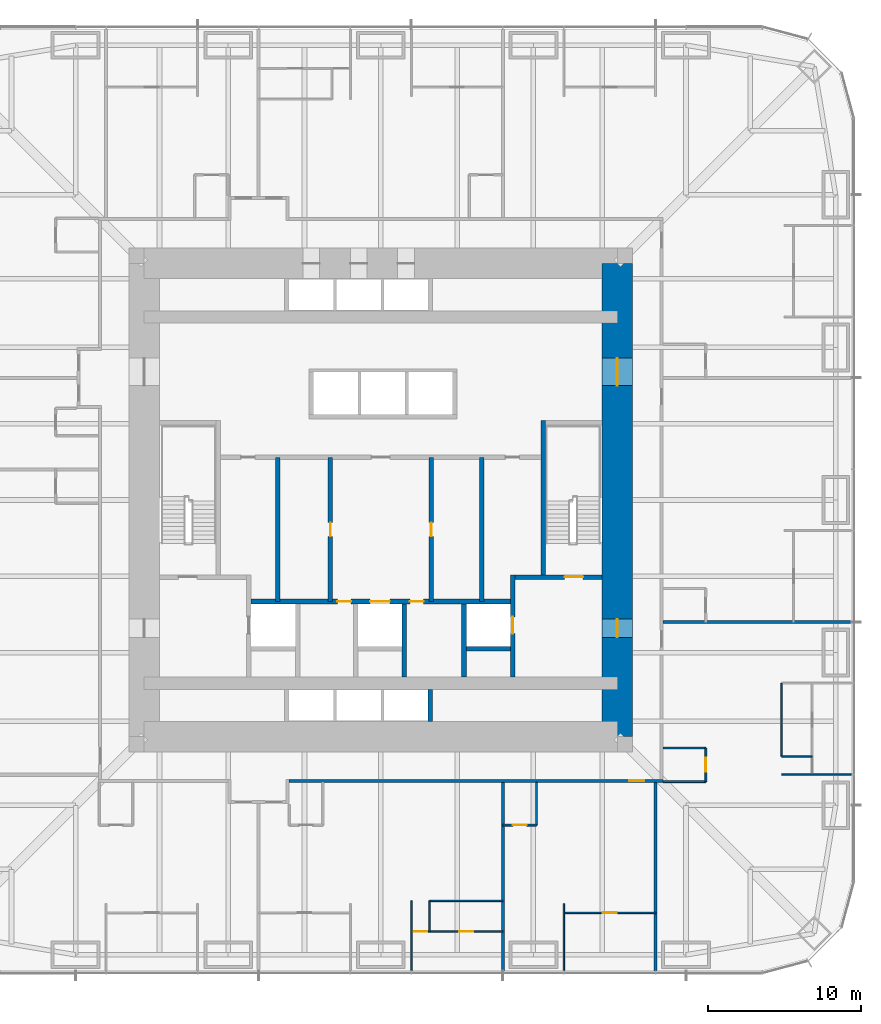
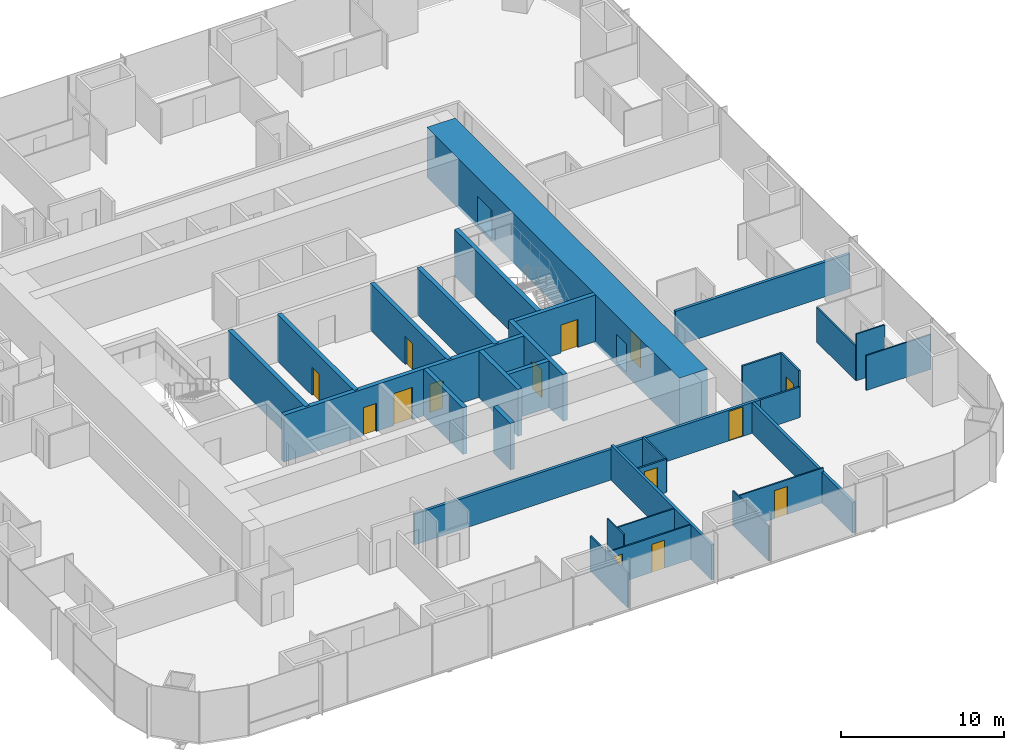
# One storey, part 13 of 17: 31 walls, 15 doors, 15 openings.
"""IFC4 building model written with IfcOpenShell, lengths in metres."""

import ifcopenshell
import ifcopenshell.guid

model = None  # the IFC model being written
_history = None  # IfcOwnerHistory: only IFC2X3 demands one
_inside = {}  # id of a spatial element -> (the spatial element, [elements in it])
_under = {}  # id of a project, library or spatial element -> (it, [spatial elements below it])
_declared = {}  # id of a project -> (the project, [libraries it declares])
_typed = {}  # id of a type object -> (the type object, [elements of that type])
_made_of = {}  # id of a material, layer set ... -> (it, [elements and type objects made of it])


def new_model(schema):
    """Start an empty IFC model of exactly this schema.

    Asked for "IFC4X3", IfcOpenShell would pick the latest addendum, in which some entities
    have other attributes; the version numbers below select the first issue.
    IFC2X3 requires an IfcOwnerHistory on every rooted entity: one is made here for all.
    """
    global model, _history
    if schema == "IFC4X3":
        model = ifcopenshell.file(schema_version=(4, 3, 0, 0))
    else:
        model = ifcopenshell.file(schema=schema)
    _inside.clear()
    _under.clear()
    _declared.clear()
    _typed.clear()
    _made_of.clear()
    _history = None
    if model.schema == "IFC2X3":
        org = make("IfcOrganization", Name="unknown")
        user = make(
            "IfcPersonAndOrganization",
            ThePerson=make("IfcPerson", FamilyName="unknown"),
            TheOrganization=org,
        )
        app = make(
            "IfcApplication",
            ApplicationDeveloper=org,
            Version="unknown",
            ApplicationFullName="unknown",
            ApplicationIdentifier="unknown",
        )
        _history = make(
            "IfcOwnerHistory",
            OwningUser=user,
            OwningApplication=app,
            ChangeAction="ADDED",
            CreationDate=0,
        )
    return model


def make(cls, **values):
    """One entity of the class cls with the attributes given. An attribute that is None is left unset."""
    return model.create_entity(
        cls, **{name: value for name, value in values.items() if value is not None}
    )


def rooted(cls, **values):
    """An entity with a GlobalId (a new one), such as an element, a storey or a relation."""
    return make(cls, GlobalId=ifcopenshell.guid.new(), OwnerHistory=_history, **values)


def si_unit(unit_type, name, prefix=None):
    """IfcSIUnit, for example si_unit("LENGTHUNIT", "METRE", prefix="MILLI")."""
    return make("IfcSIUnit", UnitType=unit_type, Prefix=prefix, Name=name)


def assignment(units):
    """IfcUnitAssignment: the units of a project."""
    return None if units is None else make("IfcUnitAssignment", Units=units)


def point(xyz):
    """IfcCartesianPoint."""
    return None if xyz is None else make("IfcCartesianPoint", Coordinates=xyz)


def direction(xyz):
    """IfcDirection."""
    return None if xyz is None else make("IfcDirection", DirectionRatios=xyz)


def frame(location, z_axis=None, x_axis=None):
    """IfcAxis2Placement3D, a coordinate frame: its origin and axes. An axis left out is left unset."""
    return make(
        "IfcAxis2Placement3D",
        Location=point(location),
        Axis=direction(z_axis),
        RefDirection=direction(x_axis),
    )


def frame_2d(location, x_axis=None):
    """IfcAxis2Placement2D, a coordinate frame in the plane: its origin and x axis."""
    return make(
        "IfcAxis2Placement2D", Location=point(location), RefDirection=direction(x_axis)
    )


def origin():
    """The frame at (0, 0, 0) with its axes left unset."""
    return frame((0.0, 0.0, 0.0))


def place(relative_to, where):
    """IfcLocalPlacement: puts the frame where relative to a parent placement (None: the world)."""
    return make(
        "IfcLocalPlacement", PlacementRelTo=relative_to, RelativePlacement=where
    )


def context(
    kind, dimensions, precision=None, world=None, true_north=None, identifier=None
):
    """IfcGeometricRepresentationContext, for example the 3D "Model" context."""
    return make(
        "IfcGeometricRepresentationContext",
        ContextIdentifier=identifier,
        ContextType=kind,
        CoordinateSpaceDimension=dimensions,
        Precision=precision,
        WorldCoordinateSystem=world,
        TrueNorth=true_north,
    )


def subcontext(parent, identifier, kind, view, scale=None):
    """IfcGeometricRepresentationSubContext, for example "Body" below "Model"."""
    return make(
        "IfcGeometricRepresentationSubContext",
        ContextIdentifier=identifier,
        ContextType=kind,
        ParentContext=parent,
        TargetScale=scale,
        TargetView=view,
    )


def project(units=None, contexts=None):
    """IfcProject with its units and contexts."""
    return rooted(
        "IfcProject",
        Name="project",
        RepresentationContexts=contexts,
        UnitsInContext=assignment(units),
    )


def spatial(cls, under=None, at=None, **own):
    """A site, building, storey or space (cls), placed at a placement, below another one or the project."""
    s = rooted(cls, ObjectPlacement=at, **own)
    if under is not None:
        _under.setdefault(under.id(), (under, []))[1].append(s)
    return s


def profile(cls, at=None, kind="AREA", **sizes):
    """A parametric profile (cls). Its sizes go by their IFC names, for example OverallWidth=200.0."""
    return make(cls, ProfileType=kind, Position=at, **sizes)


def rectangle(**sizes):
    """IfcRectangleProfileDef."""
    return profile("IfcRectangleProfileDef", **sizes)


def extrude(swept, where, along, depth):
    """IfcExtrudedAreaSolid: the profile swept, set in the frame where, extruded along a direction by depth."""
    return make(
        "IfcExtrudedAreaSolid",
        SweptArea=swept,
        Position=where,
        ExtrudedDirection=direction(along),
        Depth=depth,
    )


def shape(context_of_items, identifier, shape_type, items):
    """IfcShapeRepresentation: the items that make up one representation, for example the "Body"."""
    return make(
        "IfcShapeRepresentation",
        ContextOfItems=context_of_items,
        RepresentationIdentifier=identifier,
        RepresentationType=shape_type,
        Items=items,
    )


def material(Name=None, Category=None):
    """IfcMaterial."""
    return make("IfcMaterial", Name=Name, Category=Category)


def layer(
    of_material, thickness, ventilated=None, Name=None, Category=None, Priority=None
):
    """IfcMaterialLayer: one layer of a wall or slab, of a material (None: an air gap)."""
    return make(
        "IfcMaterialLayer",
        Material=of_material,
        LayerThickness=thickness,
        IsVentilated=ventilated,
        Name=Name,
        Category=Category,
        Priority=Priority,
    )


def layer_set(layers, Name=None):
    """IfcMaterialLayerSet."""
    return make("IfcMaterialLayerSet", MaterialLayers=layers, LayerSetName=Name)


def made_of(thing, what):
    """Note that an element or type object is made of a material, layer set ...; save() writes the relation."""
    if what is not None:
        _made_of.setdefault(what.id(), (what, []))[1].append(thing)
    return thing


def type_object(cls, material=None, **own):
    """A type object (cls), such as IfcWallType, which elements share."""
    return made_of(rooted(cls, **own), material)


def element(
    cls,
    number,
    at=None,
    inside=None,
    cuts=None,
    type_object=None,
    material=None,
    context=None,
    identifier="Body",
    shape_type=None,
    held_by="IfcProductDefinitionShape",
    body=None,
    shapes=None,
    **own,
):
    """One element of the class cls, such as IfcWall. Its Tag is "e" and its number.

    at: its placement. inside: the storey or other place that contains it. cuts: it is an
    opening in that element (IfcRelVoidsElement). A single representation is given by context,
    identifier, shape_type and body (its items); several are given by shapes. held_by: the class
    of the entity that holds the representations. save() writes the other relations.
    """
    e = rooted(cls, Tag="e%d" % number, ObjectPlacement=at, **own)
    if body is not None:
        shapes = [shape(context, identifier, shape_type, body)]
    if shapes is not None:
        e.Representation = make(held_by, Representations=shapes)
    if inside is not None:
        _inside.setdefault(inside.id(), (inside, []))[1].append(e)
    if cuts is not None:
        rooted(
            "IfcRelVoidsElement", RelatingBuildingElement=cuts, RelatedOpeningElement=e
        )
    if type_object is not None:
        _typed.setdefault(type_object.id(), (type_object, []))[1].append(e)
    return made_of(e, material)


def fill(opening, filler):
    """IfcRelFillsElement: the door or window that sits in an opening."""
    return rooted(
        "IfcRelFillsElement",
        RelatingOpeningElement=opening,
        RelatedBuildingElement=filler,
    )


def aggregate(whole, parts):
    """IfcRelAggregates: a whole, such as a stair, and the parts it consists of."""
    return rooted("IfcRelAggregates", RelatingObject=whole, RelatedObjects=parts)


def save(model, path):
    """Write the relations noted so far, then the file.

    IfcRelAggregates (storeys below a building ...), IfcRelContainedInSpatialStructure (elements
    in a storey), IfcRelDefinesByType, IfcRelAssociatesMaterial and IfcRelDeclares: one each for
    every whole, place, type object, material and project.
    """
    for whole, parts in _under.values():
        aggregate(whole, parts)
    for where, things in _inside.values():
        rooted(
            "IfcRelContainedInSpatialStructure",
            RelatedElements=things,
            RelatingStructure=where,
        )
    for kind, things in _typed.values():
        rooted("IfcRelDefinesByType", RelatedObjects=things, RelatingType=kind)
    for what, things in _made_of.values():
        rooted("IfcRelAssociatesMaterial", RelatedObjects=things, RelatingMaterial=what)
    for by, libraries in _declared.values():
        rooted("IfcRelDeclares", RelatingContext=by, RelatedDefinitions=libraries)
    model.write(path)


model = new_model("IFC4")

# Units and contexts
model_context = context("Model", 3, precision=1e-05, world=origin(), true_north=direction((0.0, 1.0)))
body_context = subcontext(model_context, "Body", "Model", "MODEL_VIEW")
ifc_project = project(units=[si_unit("LENGTHUNIT", "METRE"), si_unit("AREAUNIT", "SQUARE_METRE"), si_unit("VOLUMEUNIT", "CUBIC_METRE"), si_unit("PLANEANGLEUNIT", "RADIAN"), si_unit("MASSUNIT", "GRAM", prefix="KILO")], contexts=[model_context])

# Site, building, storey
site_placement = place(None, origin())
site = spatial("IfcSite", under=ifc_project, at=site_placement, CompositionType="ELEMENT")
building_placement = place(site_placement, origin())
building = spatial("IfcBuilding", under=site, at=building_placement, Name="Khuree Lantern Residences", CompositionType="ELEMENT")
storey_placement = place(building_placement, frame((0.0, 0.0, 92.25)))
storey = spatial("IfcBuildingStorey", under=building, at=storey_placement, Name="L23", CompositionType="ELEMENT", Elevation=92.25)

# Wall, opening, door
ifc_material_1 = material(Name="Moisture-resistant gypsum board on steel studs", Category="steel")
ifc_layer_1 = layer(ifc_material_1, 0.125)
ifc_layer_set_1 = layer_set([ifc_layer_1], Name="BATHROOM WALL BTW125")
wall_type_1 = type_object("IfcWallType", Name="BATHROOM WALL BTW125", PredefinedType="PARTITIONING", material=ifc_layer_set_1)
wall_1_placement = place(storey_placement, frame((8.0, -21.300048828125, 0.0), z_axis=(0.0, 0.0, 1.0), x_axis=(1.0, 0.0, 0.0)))
wall_1 = element("IfcWall", 1, at=wall_1_placement, inside=storey, type_object=wall_type_1, Name="L23 BATHROOM WALL 10", PredefinedType="PARTITIONING", context=body_context, shape_type="SweptSolid", body=[
    extrude(rectangle(XDim=2.199951171875, YDim=0.125, at=frame_2d((1.10009765625, 0.0))), origin(), (0.0, 0.0, 1.0), 2.491943359375),
])
opening_1_placement = place(wall_1_placement, frame((0.64990234375, 0.0, 0.0)))
opening_1 = element("IfcOpeningElement", 2, at=opening_1_placement, cuts=wall_1, Name="Opening 23-054", PredefinedType="OPENING", context=body_context, shape_type="SweptSolid", body=[
    extrude(rectangle(XDim=0.89990234375, YDim=2.10009765625, at=frame_2d((0.449951171875, 1.050048828125))), frame((0.0, 0.072509765625, 0.0), z_axis=(0.0, -1.0, 0.0), x_axis=(1.0, 0.0, 0.0)), (0.0, 0.0, 1.0), 0.14501953125),
])
ifc_material_2 = material(Name="Timber door leaf in hardwood frame", Category="wood")
door_type_1 = type_object("IfcDoorType", Name="BATHROOM DOOR 900X2100", OperationType="SINGLE_SWING_LEFT", PredefinedType="DOOR", material=ifc_material_2)
door_1_placement = place(opening_1_placement, origin())
door_1 = element("IfcDoor", 3, at=door_1_placement, inside=storey, type_object=door_type_1, Name="Bathroom door 23-054", OperationType="SINGLE_SWING_LEFT", OverallHeight=2.10009765625, OverallWidth=0.89990234375, PredefinedType="DOOR", context=body_context, shape_type="SweptSolid", body=[
    extrude(rectangle(XDim=0.89990234375, YDim=2.10009765625, at=frame_2d((0.449951171875, 1.050048828125))), frame((0.0, 0.02490234375, 0.0), z_axis=(0.0, -1.0, 0.0), x_axis=(1.0, 0.0, 0.0)), (0.0, 0.0, 1.0), 0.050048828125),
])
fill(opening_1, door_1)

# Wall
wall_2_placement = place(storey_placement, frame((10.199951171875, -18.5, 0.0), z_axis=(0.0, 0.0, 1.0), x_axis=(0.0, -1.0, 0.0)))
element("IfcWall", 4, at=wall_2_placement, inside=storey, type_object=wall_type_1, Name="L23 BATHROOM WALL 10", PredefinedType="PARTITIONING", context=body_context, shape_type="SweptSolid", body=[
    extrude(rectangle(XDim=2.800048828125, YDim=0.125, at=frame_2d((1.39990234375, 0.0))), origin(), (0.0, 0.0, 1.0), 2.491943359375),
])

# Wall, opening, door
wall_3_placement = place(storey_placement, frame((21.300048828125, -18.449951171875, 0.0), z_axis=(0.0, 0.0, 1.0), x_axis=(0.0, 1.0, 0.0)))
wall_3 = element("IfcWall", 5, at=wall_3_placement, inside=storey, type_object=wall_type_1, Name="L23 BATHROOM WALL 11", PredefinedType="PARTITIONING", context=body_context, shape_type="SweptSolid", body=[
    extrude(rectangle(XDim=2.199951171875, YDim=0.125, at=frame_2d((1.10009765625, 0.0))), origin(), (0.0, 0.0, 1.0), 3.5),
])
opening_2_placement = place(wall_3_placement, frame((0.64990234375, 0.0, 0.0)))
opening_2 = element("IfcOpeningElement", 6, at=opening_2_placement, cuts=wall_3, Name="Opening 23-058", PredefinedType="OPENING", context=body_context, shape_type="SweptSolid", body=[
    extrude(rectangle(XDim=0.89990234375, YDim=2.10009765625, at=frame_2d((0.449951171875, 1.050048828125))), frame((0.0, 0.072509765625, 0.0), z_axis=(0.0, -1.0, 0.0), x_axis=(1.0, 0.0, 0.0)), (0.0, 0.0, 1.0), 0.14501953125),
])
door_2_placement = place(opening_2_placement, origin())
door_2 = element("IfcDoor", 7, at=door_2_placement, inside=storey, type_object=door_type_1, Name="Bathroom door 23-058", OperationType="SINGLE_SWING_LEFT", OverallHeight=2.10009765625, OverallWidth=0.89990234375, PredefinedType="DOOR", context=body_context, shape_type="SweptSolid", body=[
    extrude(rectangle(XDim=0.89990234375, YDim=2.10009765625, at=frame_2d((0.449951171875, 1.050048828125))), frame((0.0, 0.02490234375, 0.0), z_axis=(0.0, -1.0, 0.0), x_axis=(1.0, 0.0, 0.0)), (0.0, 0.0, 1.0), 0.050048828125),
])
fill(opening_2, door_2)

# Walls
wall_4_placement = place(storey_placement, frame((18.5, -18.449951171875, 0.0), z_axis=(0.0, 0.0, 1.0), x_axis=(1.0, 0.0, 0.0)))
element("IfcWall", 8, at=wall_4_placement, inside=storey, type_object=wall_type_1, Name="L23 BATHROOM WALL 11", PredefinedType="PARTITIONING", context=body_context, shape_type="SweptSolid", body=[
    extrude(rectangle(XDim=2.800048828125, YDim=0.125, at=frame_2d((1.39990234375, 0.0))), origin(), (0.0, 0.0, 1.0), 2.300048828125),
])
wall_5_placement = place(storey_placement, frame((18.5, -16.25, 0.0), z_axis=(0.0, 0.0, 1.0), x_axis=(1.0, 0.0, 0.0)))
element("IfcWall", 9, at=wall_5_placement, inside=storey, type_object=wall_type_1, Name="L23 BATHROOM WALL 11", PredefinedType="PARTITIONING", context=body_context, shape_type="SweptSolid", body=[
    extrude(rectangle(XDim=2.800048828125, YDim=0.125, at=frame_2d((1.39990234375, 0.0))), origin(), (0.0, 0.0, 1.0), 3.5),
])

# Wall, opening, door
ifc_material_3 = material(Name="Dense concrete blockwork", Category="masonry")
ifc_layer_2 = layer(ifc_material_3, 0.300048828125)
ifc_layer_set_2 = layer_set([ifc_layer_2], Name="CORE PARTITION WALL CPW300 EI 120")
wall_type_2 = type_object("IfcWallType", Name="CORE PARTITION WALL CPW300 EI 120", PredefinedType="PARTITIONING", material=ifc_layer_set_2)
wall_6_placement = place(storey_placement, frame((8.64990234375, -11.60009765625, 0.0), z_axis=(0.0, 0.0, 1.0), x_axis=(0.0, 1.0, 0.0)))
wall_6 = element("IfcWall", 10, at=wall_6_placement, inside=storey, type_object=wall_type_2, Name="L23 CORE WALL FL2E", PredefinedType="PARTITIONING", context=body_context, shape_type="SweptSolid", body=[
    extrude(rectangle(XDim=6.7001953125, YDim=0.300048828125, at=frame_2d((3.35009765625, 0.0))), origin(), (0.0, 0.0, 1.0), 3.5),
])
opening_3_placement = place(wall_6_placement, frame((2.85009765625, 0.0, 0.0)))
opening_3 = element("IfcOpeningElement", 11, at=opening_3_placement, cuts=wall_6, Name="Opening 23-008", PredefinedType="OPENING", context=body_context, shape_type="SweptSolid", body=[
    extrude(rectangle(XDim=1.10009765625, YDim=2.10009765625, at=frame_2d((0.550048828125, 1.050048828125))), frame((0.0, 0.16015625, 0.0), z_axis=(0.0, -1.0, 0.0), x_axis=(1.0, 0.0, 0.0)), (0.0, 0.0, 1.0), 0.320068359375),
])
ifc_material_4 = material(Name="Stainless steel lift landing door", Category="steel")
door_type_2 = type_object("IfcDoorType", Name="LIFT LANDING DOOR 1100X2100 E 120", OperationType="DOUBLE_DOOR_SLIDING", PredefinedType="DOOR", material=ifc_material_4)
door_3_placement = place(opening_3_placement, origin())
door_3 = element("IfcDoor", 12, at=door_3_placement, inside=storey, type_object=door_type_2, Name="Landing door FL2 23-008", OperationType="DOUBLE_DOOR_SLIDING", OverallHeight=2.10009765625, OverallWidth=1.10009765625, PredefinedType="DOOR", context=body_context, shape_type="SweptSolid", body=[
    extrude(rectangle(XDim=1.10009765625, YDim=2.10009765625, at=frame_2d((0.550048828125, 1.050048828125))), frame((0.0, 0.02490234375, 0.0), z_axis=(0.0, -1.0, 0.0), x_axis=(1.0, 0.0, 0.0)), (0.0, 0.0, 1.0), 0.050048828125),
])
fill(opening_3, door_3)

# Wall, openings, doors
wall_7_placement = place(storey_placement, frame((-8.5, -6.64990234375, 0.0), z_axis=(0.0, 0.0, 1.0), x_axis=(1.0, 0.0, 0.0)))
wall_7 = element("IfcWall", 13, at=wall_7_placement, inside=storey, type_object=wall_type_2, Name="L23 CORE WALL FLROW", PredefinedType="PARTITIONING", context=body_context, shape_type="SweptSolid", body=[
    extrude(rectangle(XDim=17.0, YDim=0.300048828125, at=frame_2d((8.5, 0.0))), origin(), (0.0, 0.0, 1.0), 3.5),
])
opening_4_placement = place(wall_7_placement, frame((7.800048828125, 0.0, 0.0)))
opening_4 = element("IfcOpeningElement", 14, at=opening_4_placement, cuts=wall_7, Name="Opening 23-012", PredefinedType="OPENING", context=body_context, shape_type="SweptSolid", body=[
    extrude(rectangle(XDim=1.300048828125, YDim=2.39990234375, at=frame_2d((0.64990234375, 1.199951171875))), frame((0.0, 0.16015625, 0.0), z_axis=(0.0, -1.0, 0.0), x_axis=(1.0, 0.0, 0.0)), (0.0, 0.0, 1.0), 0.320068359375),
])
opening_5_placement = place(wall_7_placement, frame((5.64990234375, 0.0, 0.0)))
opening_5 = element("IfcOpeningElement", 15, at=opening_5_placement, cuts=wall_7, Name="Opening 23-014", PredefinedType="OPENING", context=body_context, shape_type="SweptSolid", body=[
    extrude(rectangle(XDim=0.89990234375, YDim=2.10009765625, at=frame_2d((0.449951171875, 1.050048828125))), frame((0.0, 0.16015625, 0.0), z_axis=(0.0, -1.0, 0.0), x_axis=(1.0, 0.0, 0.0)), (0.0, 0.0, 1.0), 0.320068359375),
])
opening_6_placement = place(wall_7_placement, frame((10.39990234375, 0.0, 0.0)))
opening_6 = element("IfcOpeningElement", 16, at=opening_6_placement, cuts=wall_7, Name="Opening 23-015", PredefinedType="OPENING", context=body_context, shape_type="SweptSolid", body=[
    extrude(rectangle(XDim=0.89990234375, YDim=2.10009765625, at=frame_2d((0.449951171875, 1.050048828125))), frame((0.0, 0.16015625, 0.0), z_axis=(0.0, -1.0, 0.0), x_axis=(1.0, 0.0, 0.0)), (0.0, 0.0, 1.0), 0.320068359375),
])
ifc_material_5 = material(Name="Steel door leaf in steel frame", Category="steel")
door_type_3 = type_object("IfcDoorType", Name="DOOR 900X2100 EI 60", OperationType="SINGLE_SWING_LEFT", PredefinedType="DOOR", material=ifc_material_5)
door_4_placement = place(opening_5_placement, origin())
door_4 = element("IfcDoor", 17, at=door_4_placement, inside=storey, type_object=door_type_3, Name="Refuse chute room door 23-014", OperationType="SINGLE_SWING_LEFT", OverallHeight=2.10009765625, OverallWidth=0.89990234375, PredefinedType="DOOR", context=body_context, shape_type="SweptSolid", body=[
    extrude(rectangle(XDim=0.89990234375, YDim=2.10009765625, at=frame_2d((0.449951171875, 1.050048828125))), frame((0.0, 0.02490234375, 0.0), z_axis=(0.0, -1.0, 0.0), x_axis=(1.0, 0.0, 0.0)), (0.0, 0.0, 1.0), 0.050048828125),
])
fill(opening_5, door_4)
door_type_4 = type_object("IfcDoorType", Name="DOOR 900X2100 EI 60 RIGHT HAND", OperationType="SINGLE_SWING_RIGHT", PredefinedType="DOOR", material=ifc_material_5)
door_5_placement = place(opening_6_placement, origin())
door_5 = element("IfcDoor", 18, at=door_5_placement, inside=storey, type_object=door_type_4, Name="Electrical and plumbing riser door 23-015", OperationType="SINGLE_SWING_RIGHT", OverallHeight=2.10009765625, OverallWidth=0.89990234375, PredefinedType="DOOR", context=body_context, shape_type="SweptSolid", body=[
    extrude(rectangle(XDim=0.89990234375, YDim=2.10009765625, at=frame_2d((0.449951171875, 1.050048828125))), frame((0.0, 0.02490234375, 0.0), z_axis=(0.0, -1.0, 0.0), x_axis=(1.0, 0.0, 0.0)), (0.0, 0.0, 1.0), 0.050048828125),
])
fill(opening_6, door_5)
door_type_5 = type_object("IfcDoorType", Name="LIFT LANDING DOOR 1300X2400 E 60", OperationType="DOUBLE_DOOR_SLIDING", PredefinedType="DOOR", material=ifc_material_4)
door_6_placement = place(opening_4_placement, origin())
door_6 = element("IfcDoor", 19, at=door_6_placement, inside=storey, type_object=door_type_5, Name="Landing door SL1 23-012", OperationType="DOUBLE_DOOR_SLIDING", OverallHeight=2.39990234375, OverallWidth=1.300048828125, PredefinedType="DOOR", context=body_context, shape_type="SweptSolid", body=[
    extrude(rectangle(XDim=1.300048828125, YDim=2.39990234375, at=frame_2d((0.64990234375, 1.199951171875))), frame((0.0, 0.02490234375, 0.0), z_axis=(0.0, -1.0, 0.0), x_axis=(1.0, 0.0, 0.0)), (0.0, 0.0, 1.0), 0.050048828125),
])
fill(opening_4, door_6)

# Walls
for number, where, z_axis, x_axis, name in (
    (20, (1.550048828125, -11.60009765625, 0.0), (0.0, 0.0, 1.0), (0.0, 1.0, 0.0), "L23 CORE WALL SL1E"),
    (21, (5.449951171875, -11.60009765625, 0.0), (0.0, 0.0, 1.0), (0.0, 1.0, 0.0), "L23 CORE WALL FL2W"),
):
    element("IfcWall", number, at=place(storey_placement, frame(where, z_axis=z_axis, x_axis=x_axis)), inside=storey, type_object=wall_type_2, Name=name, PredefinedType="PARTITIONING", context=body_context, shape_type="SweptSolid", body=[
        extrude(rectangle(XDim=4.800048828125, YDim=0.300048828125, at=frame_2d((2.39990234375, 0.0))), origin(), (0.0, 0.0, 1.0), 3.5),
    ])
wall_8_placement = place(storey_placement, frame((5.60009765625, -9.75, 0.0), z_axis=(0.0, 0.0, 1.0), x_axis=(1.0, 0.0, 0.0)))
element("IfcWall", 22, at=wall_8_placement, inside=storey, type_object=wall_type_2, Name="L23 CORE WALL FL2S", PredefinedType="PARTITIONING", context=body_context, shape_type="SweptSolid", body=[
    extrude(rectangle(XDim=2.89990234375, YDim=0.300048828125, at=frame_2d((1.449951171875, 0.0))), origin(), (0.0, 0.0, 1.0), 3.5),
])
wall_9_placement = place(storey_placement, frame((3.25, -14.5, 0.0), z_axis=(0.0, 0.0, 1.0), x_axis=(0.0, 1.0, 0.0)))
element("IfcWall", 23, at=wall_9_placement, inside=storey, type_object=wall_type_2, Name="L23 CORE WALL PME", PredefinedType="PARTITIONING", context=body_context, shape_type="SweptSolid", body=[
    extrude(rectangle(XDim=2.10009765625, YDim=0.300048828125, at=frame_2d((1.050048828125, 0.0))), origin(), (0.0, 0.0, 1.0), 3.5),
])

# Wall, opening, door
wall_10_placement = place(storey_placement, frame((-3.300048828125, -6.64990234375, 0.0), z_axis=(0.0, 0.0, 1.0), x_axis=(0.0, 1.0, 0.0)))
wall_10 = element("IfcWall", 24, at=wall_10_placement, inside=storey, type_object=wall_type_2, Name="L23 CORE WALL SVW", PredefinedType="PARTITIONING", context=body_context, shape_type="SweptSolid", body=[
    extrude(rectangle(XDim=9.449951171875, YDim=0.300048828125, at=frame_2d((4.72509765625, 0.0))), origin(), (0.0, 0.0, 1.0), 3.5),
])
opening_7_placement = place(wall_10_placement, frame((4.27490234375, 0.0, 0.0)))
opening_7 = element("IfcOpeningElement", 25, at=opening_7_placement, cuts=wall_10, Name="Opening 23-016", PredefinedType="OPENING", context=body_context, shape_type="SweptSolid", body=[
    extrude(rectangle(XDim=0.89990234375, YDim=2.10009765625, at=frame_2d((0.449951171875, 1.050048828125))), frame((0.0, 0.16015625, 0.0), z_axis=(0.0, -1.0, 0.0), x_axis=(1.0, 0.0, 0.0)), (0.0, 0.0, 1.0), 0.320068359375),
])
door_type_6 = type_object("IfcDoorType", Name="DOOR 900X2100", OperationType="SINGLE_SWING_LEFT", PredefinedType="DOOR", material=ifc_material_2)
door_7_placement = place(opening_7_placement, origin())
door_7 = element("IfcDoor", 26, at=door_7_placement, inside=storey, type_object=door_type_6, Name="Residents' store door 23-016", OperationType="SINGLE_SWING_LEFT", OverallHeight=2.10009765625, OverallWidth=0.89990234375, PredefinedType="DOOR", context=body_context, shape_type="SweptSolid", body=[
    extrude(rectangle(XDim=0.89990234375, YDim=2.10009765625, at=frame_2d((0.449951171875, 1.050048828125))), frame((0.0, 0.02490234375, 0.0), z_axis=(0.0, -1.0, 0.0), x_axis=(1.0, 0.0, 0.0)), (0.0, 0.0, 1.0), 0.050048828125),
])
fill(opening_7, door_7)

wall_11_placement = place(storey_placement, frame((3.300048828125, -6.64990234375, 0.0), z_axis=(0.0, 0.0, 1.0), x_axis=(0.0, 1.0, 0.0)))
wall_11 = element("IfcWall", 27, at=wall_11_placement, inside=storey, type_object=wall_type_2, Name="L23 CORE WALL SVE", PredefinedType="PARTITIONING", context=body_context, shape_type="SweptSolid", body=[
    extrude(rectangle(XDim=9.449951171875, YDim=0.300048828125, at=frame_2d((4.72509765625, 0.0))), origin(), (0.0, 0.0, 1.0), 3.5),
])
opening_8_placement = place(wall_11_placement, frame((4.27490234375, 0.0, 0.0)))
opening_8 = element("IfcOpeningElement", 28, at=opening_8_placement, cuts=wall_11, Name="Opening 23-018", PredefinedType="OPENING", context=body_context, shape_type="SweptSolid", body=[
    extrude(rectangle(XDim=0.89990234375, YDim=2.10009765625, at=frame_2d((0.449951171875, 1.050048828125))), frame((0.0, 0.16015625, 0.0), z_axis=(0.0, -1.0, 0.0), x_axis=(1.0, 0.0, 0.0)), (0.0, 0.0, 1.0), 0.320068359375),
])
door_8_placement = place(opening_8_placement, origin())
door_8 = element("IfcDoor", 29, at=door_8_placement, inside=storey, type_object=door_type_6, Name="Residents' store door 23-018", OperationType="SINGLE_SWING_LEFT", OverallHeight=2.10009765625, OverallWidth=0.89990234375, PredefinedType="DOOR", context=body_context, shape_type="SweptSolid", body=[
    extrude(rectangle(XDim=0.89990234375, YDim=2.10009765625, at=frame_2d((0.449951171875, 1.050048828125))), frame((0.0, 0.02490234375, 0.0), z_axis=(0.0, -1.0, 0.0), x_axis=(1.0, 0.0, 0.0)), (0.0, 0.0, 1.0), 0.050048828125),
])
fill(opening_8, door_8)

# Walls
for number, where, z_axis, x_axis, name in (
    (30, (-6.763916015625, -6.64990234375, 0.0), (0.0, 0.0, 1.0), (0.0, 1.0, 0.0), "L23 CORE WALL WV"),
    (31, (6.6220703125, -6.64990234375, 0.0), (0.0, 0.0, 1.0), (0.0, 1.0, 0.0), "L23 CORE WALL EV"),
):
    element("IfcWall", number, at=place(storey_placement, frame(where, z_axis=z_axis, x_axis=x_axis)), inside=storey, type_object=wall_type_2, Name=name, PredefinedType="PARTITIONING", context=body_context, shape_type="SweptSolid", body=[
        extrude(rectangle(XDim=9.449951171875, YDim=0.300048828125, at=frame_2d((4.72509765625, 0.0))), origin(), (0.0, 0.0, 1.0), 3.5),
    ])

# Wall, opening, door
ifc_material_6 = material(Name="Gypsum board on steel studs", Category="steel")
ifc_layer_3 = layer(ifc_material_6, 0.199951171875)
ifc_layer_set_3 = layer_set([ifc_layer_3], Name="CORRIDOR WALL CRW200 EI 60")
wall_type_3 = type_object("IfcWallType", Name="CORRIDOR WALL CRW200 EI 60", PredefinedType="PARTITIONING", material=ifc_layer_set_3)
wall_12_placement = place(storey_placement, frame((18.5, -18.39990234375, 0.0), z_axis=(0.0, 0.0, 1.0), x_axis=(-1.0, 0.0, 0.0)))
wall_12 = element("IfcWall", 32, at=wall_12_placement, inside=storey, type_object=wall_type_3, Name="L23 CORRIDOR WALL SOUTH 1", PredefinedType="PARTITIONING", context=body_context, shape_type="SweptSolid", body=[
    extrude(rectangle(XDim=24.5, YDim=0.199951171875, at=frame_2d((12.25, 0.0))), origin(), (0.0, 0.0, 1.0), 2.300048828125),
])
opening_9_placement = place(wall_12_placement, frame((1.22998046875, 0.0, 0.0)))
opening_9 = element("IfcOpeningElement", 33, at=opening_9_placement, cuts=wall_12, Name="Opening 23-055", PredefinedType="OPENING", context=body_context, shape_type="SweptSolid", body=[
    extrude(rectangle(XDim=1.0, YDim=2.199951171875, at=frame_2d((0.5, 1.10009765625))), frame((0.0, 0.10986328125, 0.0), z_axis=(0.0, -1.0, 0.0), x_axis=(1.0, 0.0, 0.0)), (0.0, 0.0, 1.0), 0.219970703125),
])
door_type_7 = type_object("IfcDoorType", Name="APARTMENT ENTRANCE DOOR 1000X2200 EI 30S", OperationType="SINGLE_SWING_LEFT", PredefinedType="DOOR", material=ifc_material_2)
door_9_placement = place(opening_9_placement, origin())
door_9 = element("IfcDoor", 34, at=door_9_placement, inside=storey, type_object=door_type_7, Name="Apartment 10 entrance door 23-055", OperationType="SINGLE_SWING_LEFT", OverallHeight=2.199951171875, OverallWidth=1.0, PredefinedType="DOOR", context=body_context, shape_type="SweptSolid", body=[
    extrude(rectangle(XDim=1.0, YDim=2.199951171875, at=frame_2d((0.5, 1.10009765625))), frame((0.0, 0.02490234375, 0.0), z_axis=(0.0, -1.0, 0.0), x_axis=(1.0, 0.0, 0.0)), (0.0, 0.0, 1.0), 0.050048828125),
])
fill(opening_9, door_9)

# Wall, openings, doors
ifc_material_7 = material(Name="Concrete C70/85", Category="concrete")
ifc_layer_4 = layer(ifc_material_7, 2.0)
ifc_layer_set_4 = layer_set([ifc_layer_4], Name="CW2000-C70 CORE WALL C70 2000")
wall_type_4 = type_object("IfcWallType", Name="CW2000-C70 CORE WALL C70 2000", PredefinedType="SHEAR", material=ifc_layer_set_4)
wall_13_placement = place(storey_placement, frame((15.5, -15.5, -0.25), z_axis=(0.0, 0.0, 1.0), x_axis=(0.0, 1.0, 0.0)))
wall_13 = element("IfcWall", 35, at=wall_13_placement, inside=storey, type_object=wall_type_4, Name="Core wall E", PredefinedType="SHEAR", context=body_context, shape_type="SweptSolid", body=[
    extrude(rectangle(XDim=31.0, YDim=2.0, at=frame_2d((15.5, 0.0))), origin(), (0.0, 0.0, 1.0), 3.75),
])
opening_10_placement = place(wall_13_placement, frame((6.5, 0.0, 0.25)))
opening_10 = element("IfcOpeningElement", 36, at=opening_10_placement, cuts=wall_13, Name="Opening 23-005", PredefinedType="OPENING", context=body_context, shape_type="SweptSolid", body=[
    extrude(rectangle(XDim=1.199951171875, YDim=2.10009765625, at=frame_2d((0.60009765625, 1.050048828125))), frame((0.0, 1.010009765625, 0.0), z_axis=(0.0, -1.0, 0.0), x_axis=(1.0, 0.0, 0.0)), (0.0, 0.0, 1.0), 2.02001953125),
])
opening_11_placement = place(wall_13_placement, frame((23.0, 0.0, 0.25)))
opening_11 = element("IfcOpeningElement", 37, at=opening_11_placement, cuts=wall_13, Name="Opening 23-006", PredefinedType="OPENING", context=body_context, shape_type="SweptSolid", body=[
    extrude(rectangle(XDim=1.800048828125, YDim=2.10009765625, at=frame_2d((0.89990234375, 1.050048828125))), frame((0.0, 1.010009765625, 0.0), z_axis=(0.0, -1.0, 0.0), x_axis=(1.0, 0.0, 0.0)), (0.0, 0.0, 1.0), 2.02001953125),
])
door_type_8 = type_object("IfcDoorType", Name="LOBBY DOOR 1200X2100 EI 120", OperationType="SINGLE_SWING_LEFT", PredefinedType="DOOR", material=ifc_material_5)
door_10_placement = place(opening_10_placement, origin())
door_10 = element("IfcDoor", 38, at=door_10_placement, inside=storey, type_object=door_type_8, Name="Firefighting lobby door 23-005", OperationType="SINGLE_SWING_LEFT", OverallHeight=2.10009765625, OverallWidth=1.199951171875, PredefinedType="DOOR", context=body_context, shape_type="SweptSolid", body=[
    extrude(rectangle(XDim=1.199951171875, YDim=2.10009765625, at=frame_2d((0.60009765625, 1.050048828125))), frame((0.0, 0.02490234375, 0.0), z_axis=(0.0, -1.0, 0.0), x_axis=(1.0, 0.0, 0.0)), (0.0, 0.0, 1.0), 0.050048828125),
])
fill(opening_10, door_10)
door_type_9 = type_object("IfcDoorType", Name="LOBBY DOUBLE DOOR 1800X2100 EI 60", OperationType="DOUBLE_DOOR_SINGLE_SWING", PredefinedType="DOOR", material=ifc_material_5)
door_11_placement = place(opening_11_placement, origin())
door_11 = element("IfcDoor", 39, at=door_11_placement, inside=storey, type_object=door_type_9, Name="Lift lobby door 23-006", OperationType="DOUBLE_DOOR_SINGLE_SWING", OverallHeight=2.10009765625, OverallWidth=1.800048828125, PredefinedType="DOOR", context=body_context, shape_type="SweptSolid", body=[
    extrude(rectangle(XDim=1.800048828125, YDim=2.10009765625, at=frame_2d((0.89990234375, 1.050048828125))), frame((0.0, 0.02490234375, 0.0), z_axis=(0.0, -1.0, 0.0), x_axis=(1.0, 0.0, 0.0)), (0.0, 0.0, 1.0), 0.050048828125),
])
fill(opening_11, door_11)

# Walls
ifc_layer_5 = layer(ifc_material_6, 0.199951171875)
ifc_layer_set_5 = layer_set([ifc_layer_5], Name="DEMISING WALL DMW200 EI 90")
wall_type_5 = type_object("IfcWallType", Name="DEMISING WALL DMW200 EI 90", PredefinedType="PARTITIONING", material=ifc_layer_set_5)
for number, where, z_axis, x_axis, name in (
    (40, (18.5, -8.0, 0.0), (0.0, 0.0, 1.0), (1.0, 0.0, 0.0), "L23 DEMISING WALL 01"),
    (41, (8.0, -18.5, 0.0), (0.0, 0.0, 1.0), (0.0, -1.0, 0.0), "L23 DEMISING WALL 10"),
):
    element("IfcWall", number, at=place(storey_placement, frame(where, z_axis=z_axis, x_axis=x_axis)), inside=storey, type_object=wall_type_5, Name=name, PredefinedType="PARTITIONING", context=body_context, shape_type="SweptSolid", body=[
        extrude(rectangle(XDim=12.35009765625, YDim=0.199951171875, at=frame_2d((6.175048828125, 0.0))), origin(), (0.0, 0.0, 1.0), 2.610107421875),
    ])
wall_14_placement = place(storey_placement, frame((18.0, -18.5, 0.0), z_axis=(0.0, 0.0, 1.0), x_axis=(0.0, -1.0, 0.0)))
element("IfcWall", 42, at=wall_14_placement, inside=storey, type_object=wall_type_5, Name="L23 DEMISING WALL 11", PredefinedType="PARTITIONING", context=body_context, shape_type="SweptSolid", body=[
    extrude(rectangle(XDim=12.35009765625, YDim=0.199951171875, at=frame_2d((6.175048828125, 0.0))), origin(), (0.0, 0.0, 1.0), 2.300048828125),
])
ifc_layer_6 = layer(ifc_material_6, 0.10009765625)
ifc_layer_set_6 = layer_set([ifc_layer_6], Name="PARTITION PT100")
wall_type_6 = type_object("IfcWallType", Name="PARTITION PT100", PredefinedType="PARTITIONING", material=ifc_layer_set_6)
wall_15_placement = place(storey_placement, frame((2.0, -26.2666015625, 0.0), z_axis=(0.0, 0.0, 1.0), x_axis=(0.0, -1.0, 0.0)))
element("IfcWall", 43, at=wall_15_placement, inside=storey, type_object=wall_type_6, Name="L23 PARTITION 09", PredefinedType="PARTITIONING", context=body_context, shape_type="SweptSolid", body=[
    extrude(rectangle(XDim=4.58349609375, YDim=0.10009765625, at=frame_2d((2.291748046875, 0.0))), origin(), (0.0, 0.0, 1.0), 2.610107421875),
])
wall_16_placement = place(storey_placement, frame((12.0, -26.449951171875, 0.0), z_axis=(0.0, 0.0, 1.0), x_axis=(0.0, -1.0, 0.0)))
element("IfcWall", 44, at=wall_16_placement, inside=storey, type_object=wall_type_6, Name="L23 PARTITION 10", PredefinedType="PARTITIONING", context=body_context, shape_type="SweptSolid", body=[
    extrude(rectangle(XDim=4.400146484375, YDim=0.10009765625, at=frame_2d((2.2001953125, 0.0))), origin(), (0.0, 0.0, 1.0), 2.610107421875),
])
wall_17_placement = place(storey_placement, frame((26.2666015625, -18.0, 0.0), z_axis=(0.0, 0.0, 1.0), x_axis=(1.0, 0.0, 0.0)))
element("IfcWall", 45, at=wall_17_placement, inside=storey, type_object=wall_type_6, Name="L23 PARTITION 11", PredefinedType="PARTITIONING", context=body_context, shape_type="SweptSolid", body=[
    extrude(rectangle(XDim=4.58349609375, YDim=0.10009765625, at=frame_2d((2.291748046875, 0.0))), origin(), (0.0, 0.0, 1.0), 2.610107421875),
])

# Wall, openings, doors
wall_18_placement = place(storey_placement, frame((2.0, -28.2666015625, 0.0), z_axis=(0.0, 0.0, 1.0), x_axis=(1.0, 0.0, 0.0)))
wall_18 = element("IfcWall", 46, at=wall_18_placement, inside=storey, type_object=wall_type_6, Name="L23 PARTITION 09", PredefinedType="PARTITIONING", context=body_context, shape_type="SweptSolid", body=[
    extrude(rectangle(XDim=6.0, YDim=0.10009765625, at=frame_2d((3.0, 0.0))), origin(), (0.0, 0.0, 1.0), 2.60009765625),
])
opening_12_placement = place(wall_18_placement, frame((0.14990234375, 0.0, 0.0)))
opening_12 = element("IfcOpeningElement", 47, at=opening_12_placement, cuts=wall_18, Name="Opening 23-049", PredefinedType="OPENING", context=body_context, shape_type="SweptSolid", body=[
    extrude(rectangle(XDim=0.89990234375, YDim=2.10009765625, at=frame_2d((0.449951171875, 1.050048828125))), frame((0.0, 0.06005859375, 0.0), z_axis=(0.0, -1.0, 0.0), x_axis=(1.0, 0.0, 0.0)), (0.0, 0.0, 1.0), 0.1201171875),
])
opening_13_placement = place(wall_18_placement, frame((3.14990234375, 0.0, 0.0)))
opening_13 = element("IfcOpeningElement", 48, at=opening_13_placement, cuts=wall_18, Name="Opening 23-050", PredefinedType="OPENING", context=body_context, shape_type="SweptSolid", body=[
    extrude(rectangle(XDim=0.89990234375, YDim=2.10009765625, at=frame_2d((0.449951171875, 1.050048828125))), frame((0.0, 0.06005859375, 0.0), z_axis=(0.0, -1.0, 0.0), x_axis=(1.0, 0.0, 0.0)), (0.0, 0.0, 1.0), 0.1201171875),
])
door_type_10 = type_object("IfcDoorType", Name="BEDROOM DOOR 900X2100", OperationType="SINGLE_SWING_LEFT", PredefinedType="DOOR", material=ifc_material_2)
door_12_placement = place(opening_12_placement, origin())
door_12 = element("IfcDoor", 49, at=door_12_placement, inside=storey, type_object=door_type_10, Name="Bedroom door 23-049", OperationType="SINGLE_SWING_LEFT", OverallHeight=2.10009765625, OverallWidth=0.89990234375, PredefinedType="DOOR", context=body_context, shape_type="SweptSolid", body=[
    extrude(rectangle(XDim=0.89990234375, YDim=2.10009765625, at=frame_2d((0.449951171875, 1.050048828125))), frame((0.0, 0.02490234375, 0.0), z_axis=(0.0, -1.0, 0.0), x_axis=(1.0, 0.0, 0.0)), (0.0, 0.0, 1.0), 0.050048828125),
])
fill(opening_12, door_12)
door_13_placement = place(opening_13_placement, origin())
door_13 = element("IfcDoor", 50, at=door_13_placement, inside=storey, type_object=door_type_6, Name="Wardrobe door 23-050", OperationType="SINGLE_SWING_LEFT", OverallHeight=2.10009765625, OverallWidth=0.89990234375, PredefinedType="DOOR", context=body_context, shape_type="SweptSolid", body=[
    extrude(rectangle(XDim=0.89990234375, YDim=2.10009765625, at=frame_2d((0.449951171875, 1.050048828125))), frame((0.0, 0.02490234375, 0.0), z_axis=(0.0, -1.0, 0.0), x_axis=(1.0, 0.0, 0.0)), (0.0, 0.0, 1.0), 0.050048828125),
])
fill(opening_13, door_13)

# Walls
wall_19_placement = place(storey_placement, frame((3.199951171875, -26.2666015625, 0.0), z_axis=(0.0, 0.0, 1.0), x_axis=(0.0, -1.0, 0.0)))
element("IfcWall", 51, at=wall_19_placement, inside=storey, type_object=wall_type_6, Name="L23 PARTITION 09", PredefinedType="PARTITIONING", context=body_context, shape_type="SweptSolid", body=[
    extrude(rectangle(XDim=2.0, YDim=0.10009765625, at=frame_2d((1.0, 0.0))), origin(), (0.0, 0.0, 1.0), 3.5),
])
wall_20_placement = place(storey_placement, frame((3.199951171875, -26.2666015625, 0.0), z_axis=(0.0, 0.0, 1.0), x_axis=(1.0, 0.0, 0.0)))
element("IfcWall", 52, at=wall_20_placement, inside=storey, type_object=wall_type_6, Name="L23 PARTITION 09", PredefinedType="PARTITIONING", context=body_context, shape_type="SweptSolid", body=[
    extrude(rectangle(XDim=4.800048828125, YDim=0.10009765625, at=frame_2d((2.39990234375, 0.0))), origin(), (0.0, 0.0, 1.0), 2.60009765625),
])

# Wall, opening, door
wall_21_placement = place(storey_placement, frame((12.0, -27.050048828125, 0.0), z_axis=(0.0, 0.0, 1.0), x_axis=(1.0, 0.0, 0.0)))
wall_21 = element("IfcWall", 53, at=wall_21_placement, inside=storey, type_object=wall_type_6, Name="L23 PARTITION 10", PredefinedType="PARTITIONING", context=body_context, shape_type="SweptSolid", body=[
    extrude(rectangle(XDim=6.0, YDim=0.10009765625, at=frame_2d((3.0, 0.0))), origin(), (0.0, 0.0, 1.0), 2.60009765625),
])
opening_14_placement = place(wall_21_placement, frame((2.550048828125, 0.0, 0.0)))
opening_14 = element("IfcOpeningElement", 54, at=opening_14_placement, cuts=wall_21, Name="Opening 23-053", PredefinedType="OPENING", context=body_context, shape_type="SweptSolid", body=[
    extrude(rectangle(XDim=0.89990234375, YDim=2.10009765625, at=frame_2d((0.449951171875, 1.050048828125))), frame((0.0, 0.06005859375, 0.0), z_axis=(0.0, -1.0, 0.0), x_axis=(1.0, 0.0, 0.0)), (0.0, 0.0, 1.0), 0.1201171875),
])
door_type_11 = type_object("IfcDoorType", Name="BEDROOM DOOR 900X2100 RIGHT HAND", OperationType="SINGLE_SWING_RIGHT", PredefinedType="DOOR", material=ifc_material_2)
door_14_placement = place(opening_14_placement, origin())
door_14 = element("IfcDoor", 55, at=door_14_placement, inside=storey, type_object=door_type_11, Name="Bedroom door 23-053", OperationType="SINGLE_SWING_RIGHT", OverallHeight=2.10009765625, OverallWidth=0.89990234375, PredefinedType="DOOR", context=body_context, shape_type="SweptSolid", body=[
    extrude(rectangle(XDim=0.89990234375, YDim=2.10009765625, at=frame_2d((0.449951171875, 1.050048828125))), frame((0.0, 0.02490234375, 0.0), z_axis=(0.0, -1.0, 0.0), x_axis=(1.0, 0.0, 0.0)), (0.0, 0.0, 1.0), 0.050048828125),
])
fill(opening_14, door_14)

# Walls
wall_22_placement = place(storey_placement, frame((26.2666015625, -16.800048828125, 0.0), z_axis=(0.0, 0.0, 1.0), x_axis=(1.0, 0.0, 0.0)))
element("IfcWall", 56, at=wall_22_placement, inside=storey, type_object=wall_type_6, Name="L23 PARTITION 11", PredefinedType="PARTITIONING", context=body_context, shape_type="SweptSolid", body=[
    extrude(rectangle(XDim=2.0, YDim=0.10009765625, at=frame_2d((1.0, 0.0))), origin(), (0.0, 0.0, 1.0), 3.5),
])
wall_23_placement = place(storey_placement, frame((26.2666015625, -16.800048828125, 0.0), z_axis=(0.0, 0.0, 1.0), x_axis=(0.0, 1.0, 0.0)))
element("IfcWall", 57, at=wall_23_placement, inside=storey, type_object=wall_type_6, Name="L23 PARTITION 11", PredefinedType="PARTITIONING", context=body_context, shape_type="SweptSolid", body=[
    extrude(rectangle(XDim=4.800048828125, YDim=0.10009765625, at=frame_2d((2.39990234375, 0.0))), origin(), (0.0, 0.0, 1.0), 2.60009765625),
])
ifc_material_8 = material(Name="Concrete C50/60", Category="concrete")
ifc_layer_7 = layer(ifc_material_8, 0.300048828125)
ifc_layer_set_7 = layer_set([ifc_layer_7], Name="STAIR WALL SRW300 C50/60 REI 240")
wall_type_7 = type_object("IfcWallType", Name="STAIR WALL SRW300 C50/60 REI 240", PredefinedType="SOLIDWALL", material=ifc_layer_set_7)
wall_24_placement = place(storey_placement, frame((10.64990234375, -4.89990234375, 0.0), z_axis=(0.0, 0.0, 1.0), x_axis=(0.0, 1.0, 0.0)))
element("IfcWall", 58, at=wall_24_placement, inside=storey, type_object=wall_type_7, Name="L23 STAIR WALL ST2E", PredefinedType="SOLIDWALL", context=body_context, shape_type="SweptSolid", body=[
    extrude(rectangle(XDim=10.099853515625, YDim=0.300048828125, at=frame_2d((5.0498046875, 0.0))), origin(), (0.0, 0.0, 1.0), 3.5),
])

# Wall, opening, door
wall_25_placement = place(storey_placement, frame((14.5, -5.050048828125, 0.0), z_axis=(0.0, 0.0, 1.0), x_axis=(-1.0, 0.0, 0.0)))
wall_25 = element("IfcWall", 59, at=wall_25_placement, inside=storey, type_object=wall_type_7, Name="L23 STAIR WALL ST2S", PredefinedType="SOLIDWALL", context=body_context, shape_type="SweptSolid", body=[
    extrude(rectangle(XDim=5.699951171875, YDim=0.300048828125, at=frame_2d((2.85009765625, 0.0))), origin(), (0.0, 0.0, 1.0), 3.5),
])
opening_15_placement = place(wall_25_placement, frame((1.25, 0.0, 0.0)))
opening_15 = element("IfcOpeningElement", 60, at=opening_15_placement, cuts=wall_25, Name="Opening 23-004", PredefinedType="OPENING", context=body_context, shape_type="SweptSolid", body=[
    extrude(rectangle(XDim=1.199951171875, YDim=2.10009765625, at=frame_2d((0.60009765625, 1.050048828125))), frame((0.0, 0.16015625, 0.0), z_axis=(0.0, -1.0, 0.0), x_axis=(1.0, 0.0, 0.0)), (0.0, 0.0, 1.0), 0.320068359375),
])
door_type_12 = type_object("IfcDoorType", Name="STAIR DOOR 1200X2100 EI 120", OperationType="SINGLE_SWING_LEFT", PredefinedType="DOOR", material=ifc_material_5)
door_15_placement = place(opening_15_placement, origin())
door_15 = element("IfcDoor", 61, at=door_15_placement, inside=storey, type_object=door_type_12, Name="Stair ST2 door 23-004", OperationType="SINGLE_SWING_LEFT", OverallHeight=2.10009765625, OverallWidth=1.199951171875, PredefinedType="DOOR", context=body_context, shape_type="SweptSolid", body=[
    extrude(rectangle(XDim=1.199951171875, YDim=2.10009765625, at=frame_2d((0.60009765625, 1.050048828125))), frame((0.0, 0.02490234375, 0.0), z_axis=(0.0, -1.0, 0.0), x_axis=(1.0, 0.0, 0.0)), (0.0, 0.0, 1.0), 0.050048828125),
])
fill(opening_15, door_15)

save(model, "model.ifc")
